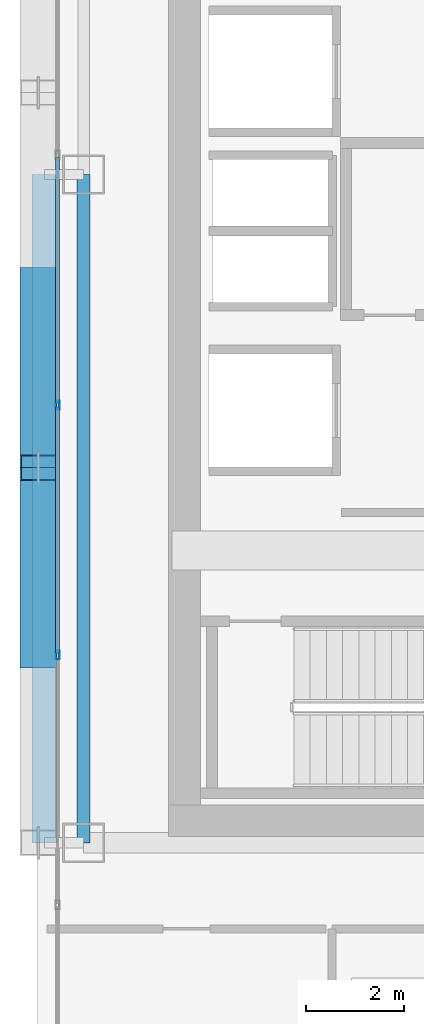
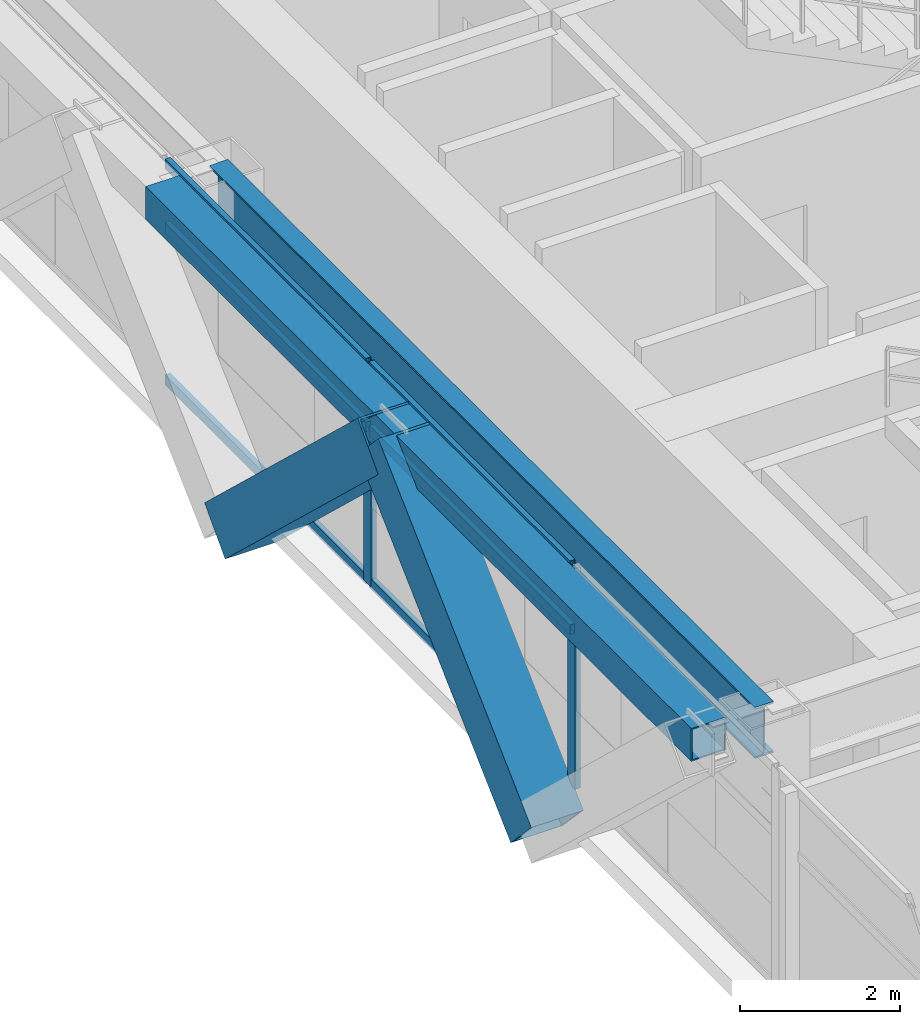
# One storey, part 6 of 35: 10 members, 2 beams, 1 element without a shape of its own.
"""IFC4 building model written with IfcOpenShell, lengths in metres."""

from ifc_helpers import new_model, si_unit, direction, frame, origin, origin_2d, place, context, subcontext, project, spatial, hollow_rectangle, i_section, extrude, source, transform, mapped, material, layer, layer_set, material_profile, profile_set, type_object, element, aggregate, save


model = new_model("IFC4")

# Units and contexts
model_context = context("Model", 3, precision=1e-05, world=origin(), true_north=direction((0.0, 1.0)))
body_context = subcontext(model_context, "Body", "Model", "MODEL_VIEW")
ifc_project = project(units=[si_unit("LENGTHUNIT", "METRE"), si_unit("AREAUNIT", "SQUARE_METRE"), si_unit("VOLUMEUNIT", "CUBIC_METRE"), si_unit("PLANEANGLEUNIT", "RADIAN"), si_unit("MASSUNIT", "GRAM", prefix="KILO")], contexts=[model_context])

# Site, building, storey
site_placement = place(None, origin())
site = spatial("IfcSite", under=ifc_project, at=site_placement, CompositionType="ELEMENT")
building_placement = place(site_placement, origin())
building = spatial("IfcBuilding", under=site, at=building_placement, Name="Ocotamira Hotel", CompositionType="ELEMENT")
storey_placement = place(building_placement, frame((0.0, 0.0, 115.199951171875)))
storey = spatial("IfcBuildingStorey", under=building, at=storey_placement, Name="L28", CompositionType="ELEMENT", Elevation=115.199951171875)

# Beams
ifc_material_1 = material(Name="Steel ASTM A992 Grade 50", Category="steel")
ifc_material_profile_1 = material_profile(ifc_material_1, i_section(OverallWidth=0.26611328125, OverallDepth=0.779052734375, WebThickness=0.0166015625, FlangeThickness=0.030029296875, FilletRadius=0.01806640625, at=origin_2d()), Name="W30X148")
ifc_profile_set_1 = profile_set([ifc_material_profile_1], Name="Steel ASTM A992 Grade 50")
beam_type_1 = type_object("IfcBeamType", Name="BM-GIRD-W30X148", PredefinedType="BEAM", material=ifc_profile_set_1)
shared_shape_1 = source(origin(), body_context, "Body", "SweptSolid", [
    extrude(i_section(OverallWidth=0.26611328125, OverallDepth=0.779052734375, WebThickness=0.0166015625, FlangeThickness=0.030029296875, FilletRadius=0.01806640625, at=origin_2d()), origin(), (0.0, 0.0, 1.0), 13.599853515625),
])
beam_1_placement = place(storey_placement, frame((8.949951171875, 14.550048828125, 2.970458984375), z_axis=(0.0, 1.0, 0.0), x_axis=(-1.0, 0.0, 0.0)))
element("IfcBeam", 1, at=beam_1_placement, inside=storey, type_object=beam_type_1, Name="L28 Beam X8.95 Y14.55-28.15", PredefinedType="BEAM", context=body_context, shape_type="MappedRepresentation", body=[
    mapped(shared_shape_1, transform((0.0, 0.0, 0.0), scale=1.0)),
])
ifc_material_2 = material(Name="Steel ASTM A500 Grade C", Category="steel")
ifc_material_profile_2 = material_profile(ifc_material_2, hollow_rectangle(XDim=0.5, YDim=0.5, WallThickness=0.02001953125, at=origin_2d()), Name="HSS500X500X20")
ifc_profile_set_2 = profile_set([ifc_material_profile_2], Name="Steel ASTM A500 Grade C")
beam_type_2 = type_object("IfcBeamType", Name="BM-SPAN-HSS500", PredefinedType="USERDEFINED", material=ifc_profile_set_2)
shared_shape_2 = source(origin(), body_context, "Body", "SweptSolid", [
    extrude(hollow_rectangle(XDim=0.5, YDim=0.5, WallThickness=0.02001953125, at=origin_2d()), origin(), (0.0, 0.0, 1.0), 13.599853515625),
])
beam_2_placement = place(storey_placement, frame((8.14990234375, 14.550048828125, 3.110107421875), z_axis=(0.0, 1.0, 0.0), x_axis=(-1.0, 0.0, 0.0)))
element("IfcBeam", 2, at=beam_2_placement, inside=storey, type_object=beam_type_2, Name="L28 Edge Spandrel W Y14.55-28.15", ObjectType="SPANDREL", PredefinedType="USERDEFINED", context=body_context, shape_type="MappedRepresentation", body=[
    mapped(shared_shape_2, transform((0.0, 0.0, 0.0), scale=1.0)),
])

# Members
ifc_material_3 = material(Name="Pale-metal coated steel ASTM A913 Grade 65", Category="steel")
ifc_material_profile_3 = material_profile(ifc_material_3, hollow_rectangle(XDim=0.75, YDim=0.75, WallThickness=0.028076171875, at=origin_2d()), Name="BOX750X750X28")
ifc_profile_set_3 = profile_set([ifc_material_profile_3], Name="Pale-metal coated steel ASTM A913 Grade 65")
member_type_1 = type_object("IfcMemberType", Name="MEM-EXO-BOX750", PredefinedType="BRACE", material=ifc_profile_set_3)
shared_shape_3 = source(origin(), body_context, "Body", "SweptSolid", [
    extrude(hollow_rectangle(XDim=0.75, YDim=0.75, WallThickness=0.028076171875, at=origin_2d()), origin(), (0.0, 0.0, 1.0), 5.24658203125),
])
for number, where, z_axis, x_axis, name in (
    (3, (8.030029296875, 18.36669921875, -0.489990234375), (0.0, 0.727442733726, 0.686168397078), (-1.0, 0.0, 0.0), "L28 Exoskeleton Diagrid W0.2"),
    (4, (8.030029296875, 26.0, -0.489990234375), (0.0, -0.727442733726, 0.686168397078), (1.0, 0.0, 0.0), "L28 Exoskeleton Diagrid W1.1"),
):
    element("IfcMember", number, at=place(storey_placement, frame(where, z_axis=z_axis, x_axis=x_axis)), inside=storey, type_object=member_type_1, Name=name, PredefinedType="BRACE", context=body_context, shape_type="MappedRepresentation", body=[
        mapped(shared_shape_3, transform((0.0, 0.0, 0.0), scale=1.0)),
    ])

# Curtain wall, members
ifc_material_4 = material(Name="Anodised pale-metal aluminium and solar glass", Category="aluminium")
ifc_layer = layer(ifc_material_4, 0.179931640625)
ifc_layer_set = layer_set([ifc_layer], Name="Anodised pale-metal aluminium and solar glass")
curtain_wall_type = type_object("IfcCurtainWallType", Name="CW-SYS3-Z2", PredefinedType="NOTDEFINED", material=ifc_layer_set)
curtain_wall_placement = place(storey_placement, origin())
curtain_wall = element("IfcCurtainWall", 5, at=curtain_wall_placement, inside=storey, type_object=curtain_wall_type, Name="L28 Curtain Wall CW-3 CW-L28-W", PredefinedType="NOTDEFINED")
ifc_material_5 = material(Name="Anodised pale-metal aluminium 6063-T6", Category="aluminium")
ifc_material_profile_4 = material_profile(ifc_material_5, hollow_rectangle(XDim=0.074951171875, YDim=0.14990234375, WallThickness=0.006103515625, at=origin_2d()), Name="HSS150X75X6")
ifc_profile_set_4 = profile_set([ifc_material_profile_4], Name="Anodised pale-metal aluminium 6063-T6")
member_type_2 = type_object("IfcMemberType", Name="CWT-150X75", PredefinedType="USERDEFINED", material=ifc_profile_set_4)
shared_shape_4 = source(origin(), body_context, "Body", "SweptSolid", [
    extrude(hollow_rectangle(XDim=0.074951171875, YDim=0.14990234375, WallThickness=0.006103515625, at=origin_2d()), origin(), (0.0, 0.0, 1.0), 5.005859375),
])
member_1_placement = place(storey_placement, frame((8.419921875, 18.411376953125, 0.03759765625), z_axis=(0.0, 1.0, 0.0), x_axis=(-1.0, 0.0, 0.0)))
member_1 = element("IfcMember", 6, at=member_1_placement, type_object=member_type_2, Name="CW-3 transom 3.1", ObjectType="TRANSOM", PredefinedType="USERDEFINED", context=body_context, shape_type="MappedRepresentation", body=[
    mapped(shared_shape_4, transform((0.0, 0.0, 0.0), scale=1.0)),
])
member_2_placement = place(storey_placement, frame((8.419921875, 18.411376953125, 2.35009765625), z_axis=(0.0, 1.0, 0.0), x_axis=(-1.0, 0.0, 0.0)))
member_2 = element("IfcMember", 7, at=member_2_placement, type_object=member_type_2, Name="CW-3 transom 3.2", ObjectType="TRANSOM", PredefinedType="USERDEFINED", context=body_context, shape_type="MappedRepresentation", body=[
    mapped(shared_shape_4, transform((0.0, 0.0, 0.0), scale=1.0)),
])
member_3_placement = place(storey_placement, frame((8.419921875, 18.411376953125, 3.322509765625), z_axis=(0.0, 1.0, 0.0), x_axis=(-1.0, 0.0, 0.0)))
member_3 = element("IfcMember", 8, at=member_3_placement, type_object=member_type_2, Name="CW-3 transom 3.3", ObjectType="TRANSOM", PredefinedType="USERDEFINED", context=body_context, shape_type="MappedRepresentation", body=[
    mapped(shared_shape_4, transform((0.0, 0.0, 0.0), scale=1.0)),
])
member_4_placement = place(storey_placement, frame((8.419921875, 23.4970703125, 0.03759765625), z_axis=(0.0, 1.0, 0.0), x_axis=(-1.0, 0.0, 0.0)))
member_4 = element("IfcMember", 9, at=member_4_placement, type_object=member_type_2, Name="CW-3 transom 4.1", ObjectType="TRANSOM", PredefinedType="USERDEFINED", context=body_context, shape_type="MappedRepresentation", body=[
    mapped(shared_shape_4, transform((0.0, 0.0, 0.0), scale=1.0)),
])
member_5_placement = place(storey_placement, frame((8.419921875, 23.4970703125, 2.35009765625), z_axis=(0.0, 1.0, 0.0), x_axis=(-1.0, 0.0, 0.0)))
member_5 = element("IfcMember", 10, at=member_5_placement, type_object=member_type_2, Name="CW-3 transom 4.2", ObjectType="TRANSOM", PredefinedType="USERDEFINED", context=body_context, shape_type="MappedRepresentation", body=[
    mapped(shared_shape_4, transform((0.0, 0.0, 0.0), scale=1.0)),
])
member_6_placement = place(storey_placement, frame((8.419921875, 23.4970703125, 3.322509765625), z_axis=(0.0, 1.0, 0.0), x_axis=(-1.0, 0.0, 0.0)))
member_6 = element("IfcMember", 11, at=member_6_placement, type_object=member_type_2, Name="CW-3 transom 4.3", ObjectType="TRANSOM", PredefinedType="USERDEFINED", context=body_context, shape_type="MappedRepresentation", body=[
    mapped(shared_shape_4, transform((0.0, 0.0, 0.0), scale=1.0)),
])
ifc_material_profile_5 = material_profile(ifc_material_5, hollow_rectangle(XDim=0.080078125, YDim=0.179931640625, WallThickness=0.006103515625, at=origin_2d()), Name="HSS180X80X6")
ifc_profile_set_5 = profile_set([ifc_material_profile_5], Name="Anodised pale-metal aluminium 6063-T6")
member_type_3 = type_object("IfcMemberType", Name="CWM-180X75", PredefinedType="MULLION", material=ifc_profile_set_5)
shared_shape_5 = source(origin(), body_context, "Body", "SweptSolid", [
    extrude(hollow_rectangle(XDim=0.080078125, YDim=0.179931640625, WallThickness=0.006103515625, at=origin_2d()), origin(), (0.0, 0.0, 1.0), 3.360107421875),
])
member_7_placement = place(storey_placement, frame((8.419921875, 18.371337890625, 0.0), z_axis=(0.0, 0.0, 1.0), x_axis=(-1.0, 0.0, 0.0)))
member_7 = element("IfcMember", 12, at=member_7_placement, type_object=member_type_3, Name="CW-3 mullion 3", PredefinedType="MULLION", context=body_context, shape_type="MappedRepresentation", body=[
    mapped(shared_shape_5, transform((0.0, 0.0, 0.0), scale=1.0)),
])
member_8_placement = place(storey_placement, frame((8.419921875, 23.45703125, 0.0), z_axis=(0.0, 0.0, 1.0), x_axis=(-1.0, 0.0, 0.0)))
member_8 = element("IfcMember", 13, at=member_8_placement, type_object=member_type_3, Name="CW-3 mullion 4", PredefinedType="MULLION", context=body_context, shape_type="MappedRepresentation", body=[
    mapped(shared_shape_5, transform((0.0, 0.0, 0.0), scale=1.0)),
])
aggregate(curtain_wall, [member_7, member_8, member_1, member_2, member_3, member_4, member_5, member_6])

save(model, "model.ifc")
